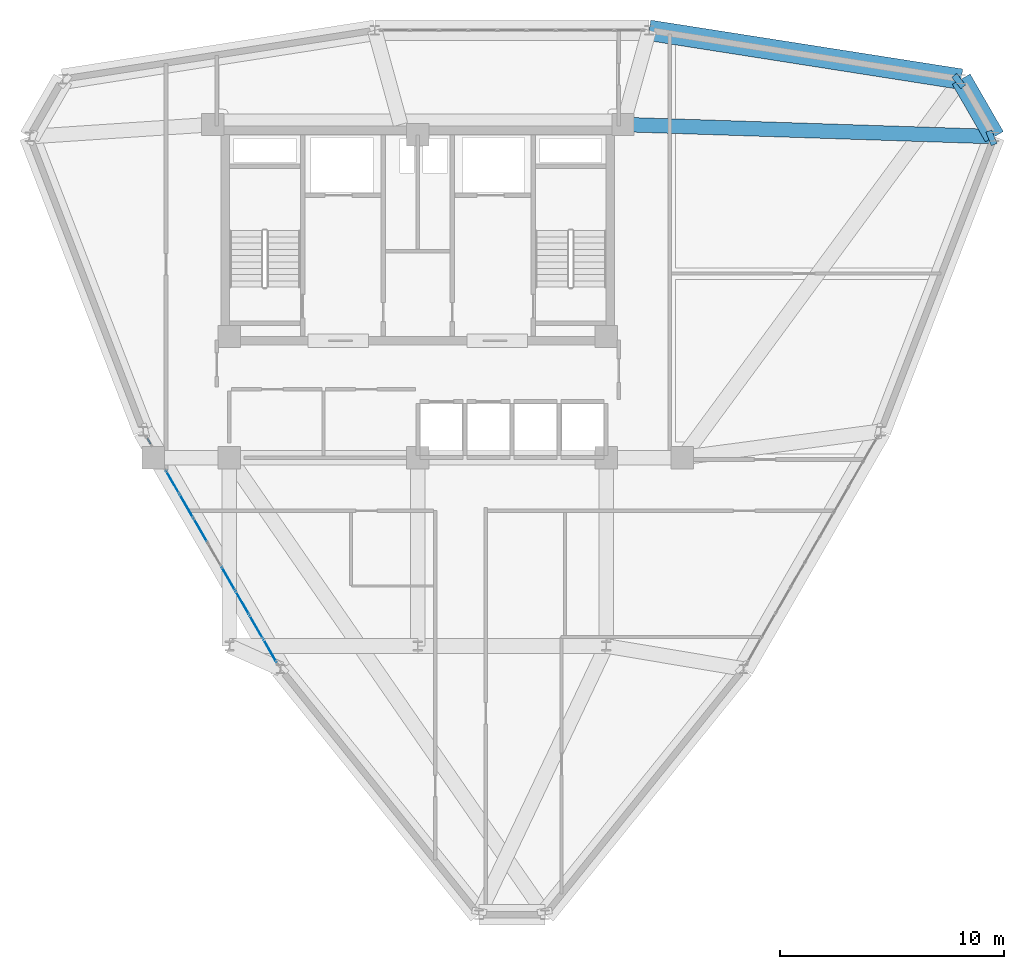
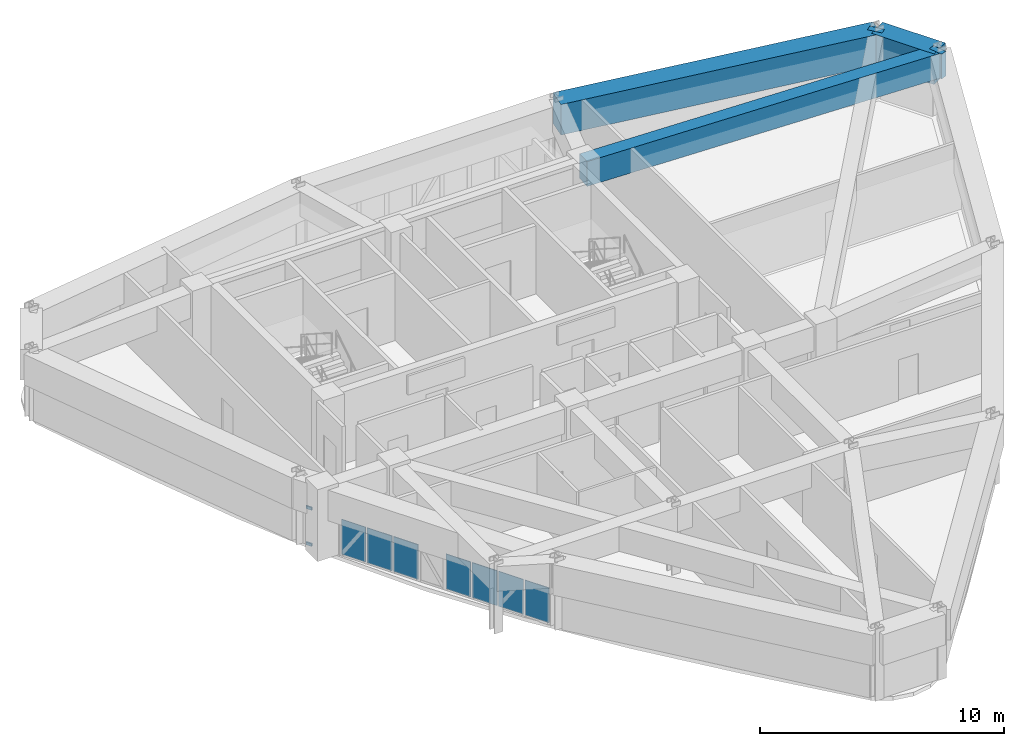
# One storey, part 14 of 19: 7 plates, 5 beams, 2 members, 2 elements without a shape of their own.
"""IFC4 building model written with IfcOpenShell, lengths in metres."""

from ifc_helpers import new_model, si_unit, derived_unit, direction, frame, origin, origin_2d, place, context, subcontext, project, spatial, rectangle, hollow_rectangle, extrude, source, transform, mapped, material, layer, layer_set, material_profile, profile_set, type_object, element, aggregate, save


model = new_model("IFC4")

# Units and contexts
model_context = context("Model", 3, precision=1e-05, world=origin(), true_north=direction((0.0, 1.0)))
body_context = subcontext(model_context, "Body", "Model", "MODEL_VIEW")
ifc_project = project(units=[si_unit("LENGTHUNIT", "METRE"), si_unit("AREAUNIT", "SQUARE_METRE"), si_unit("VOLUMEUNIT", "CUBIC_METRE"), si_unit("PLANEANGLEUNIT", "RADIAN"), si_unit("MASSUNIT", "GRAM", prefix="KILO"), derived_unit("THERMALTRANSMITTANCEUNIT", [(si_unit("POWERUNIT", "WATT"), 1), (si_unit("LENGTHUNIT", "METRE"), -2), (si_unit("THERMODYNAMICTEMPERATUREUNIT", "KELVIN"), -1)])], contexts=[model_context])

# Site, building, storey
site_placement = place(None, origin())
site = spatial("IfcSite", under=ifc_project, at=site_placement, CompositionType="ELEMENT")
building_placement = place(site_placement, origin())
building = spatial("IfcBuilding", under=site, at=building_placement, Name="Korsvarv Bourse and Concert Hall", CompositionType="ELEMENT")
storey_placement = place(building_placement, frame((0.0, 0.0, 223.800048828125)))
storey = spatial("IfcBuildingStorey", under=building, at=storey_placement, Name="L58", CompositionType="ELEMENT", Elevation=223.800048828125)

# Beams
ifc_material_1 = material(Name="Concrete C50/60", Category="concrete")
ifc_material_profile_1 = material_profile(ifc_material_1, rectangle(XDim=0.64990234375, YDim=1.239990234375, at=origin_2d()), Name="RC-BM 650x1240")
ifc_profile_set_1 = profile_set([ifc_material_profile_1], Name="Concrete C50/60")
beam_type_1 = type_object("IfcBeamType", Name="BM-TR-SPN", PredefinedType="BEAM", material=ifc_profile_set_1)
shared_shape_1 = source(origin(), body_context, "Body", "SweptSolid", [
    extrude(rectangle(XDim=0.64990234375, YDim=1.239990234375, at=origin_2d()), origin(), (0.0, 0.0, 1.0), 0.279052734375),
])
beam_1_placement = place(storey_placement, frame((60.227294921875, 49.271484375, 2.7900390625), z_axis=(-0.782232766624, -0.622986274985, 0.0), x_axis=(0.622986274985, -0.782232766624, 0.0)))
element("IfcBeam", 1, at=beam_1_placement, inside=storey, type_object=beam_type_1, Name="L58 beam B-TRS", PredefinedType="BEAM", context=body_context, shape_type="MappedRepresentation", body=[
    mapped(shared_shape_1, transform((0.0, 0.0, 0.0), scale=1.0)),
])
ifc_material_profile_2 = material_profile(ifc_material_1, rectangle(XDim=0.919921875, YDim=1.530029296875, at=origin_2d()), Name="RC-BM 920x1530")
ifc_profile_set_2 = profile_set([ifc_material_profile_2], Name="Concrete C50/60")
beam_type_2 = type_object("IfcBeamType", Name="BM-TR-154", PredefinedType="BEAM", material=ifc_profile_set_2)
shared_shape_2 = source(origin(), body_context, "Body", "SweptSolid", [
    extrude(rectangle(XDim=0.919921875, YDim=1.530029296875, at=origin_2d()), origin(), (0.0, 0.0, 1.0), 2.95947265625),
])
beam_2_placement = place(storey_placement, frame((61.70703125, 46.70849609375, 2.64501953125), z_axis=(-0.499998569178, 0.866026229868, 0.0), x_axis=(-0.866026229868, -0.499998569178, 0.0)))
element("IfcBeam", 2, at=beam_2_placement, inside=storey, type_object=beam_type_2, Name="L58 beam B-TR6", PredefinedType="BEAM", context=body_context, shape_type="MappedRepresentation", body=[
    mapped(shared_shape_2, transform((0.0, 0.0, 0.0), scale=1.0)),
])
shared_shape_3 = source(origin(), body_context, "Body", "SweptSolid", [
    extrude(rectangle(XDim=0.919921875, YDim=1.530029296875, at=origin_2d()), origin(), (0.0, 0.0, 1.0), 14.077880859375),
])
beam_3_placement = place(storey_placement, frame((60.227294921875, 49.271484375, 2.64501953125), z_axis=(-0.987954433111, 0.154745074545, 0.0), x_axis=(-0.154745074545, -0.987954433111, 0.0)))
element("IfcBeam", 3, at=beam_3_placement, inside=storey, type_object=beam_type_2, Name="L58 beam B-TR6", PredefinedType="BEAM", context=body_context, shape_type="MappedRepresentation", body=[
    mapped(shared_shape_3, transform((0.0, 0.0, 0.0), scale=1.0)),
])
shared_shape_4 = source(origin(), body_context, "Body", "SweptSolid", [
    extrude(rectangle(XDim=0.64990234375, YDim=1.239990234375, at=origin_2d()), origin(), (0.0, 0.0, 1.0), 16.56591796875),
])
beam_4_placement = place(storey_placement, frame((61.70703125, 46.70849609375, 2.7900390625), z_axis=(-0.999465614209, 0.032687704331, 0.0), x_axis=(-0.032687704331, -0.999465614209, 0.0)))
element("IfcBeam", 4, at=beam_4_placement, inside=storey, type_object=beam_type_1, Name="L58 beam B-TRS", PredefinedType="BEAM", context=body_context, shape_type="MappedRepresentation", body=[
    mapped(shared_shape_4, transform((0.0, 0.0, 0.0), scale=1.0)),
])
shared_shape_5 = source(origin(), body_context, "Body", "SweptSolid", [
    extrude(rectangle(XDim=0.64990234375, YDim=1.239990234375, at=origin_2d()), origin(), (0.0, 0.0, 1.0), 0.279296875),
])
beam_5_placement = place(storey_placement, frame((61.70703125, 46.70849609375, 2.7900390625), z_axis=(-0.930453569864, -0.366409817456, 0.0), x_axis=(0.366409817456, -0.930453569864, 0.0)))
element("IfcBeam", 5, at=beam_5_placement, inside=storey, type_object=beam_type_1, Name="L58 beam B-TRS", PredefinedType="BEAM", context=body_context, shape_type="MappedRepresentation", body=[
    mapped(shared_shape_5, transform((0.0, 0.0, 0.0), scale=1.0)),
])

# Curtain wall, members
ifc_material_2 = material(Name="Anodised aluminium and triple low-E glazing", Category="glass")
ifc_layer_1 = layer(ifc_material_2, 0.199951171875)
ifc_layer_set_1 = layer_set([ifc_layer_1], Name="Anodised aluminium and triple low-E glazing")
curtain_wall_type = type_object("IfcCurtainWallType", Name="CW-SYS-3", PredefinedType="NOTDEFINED", material=ifc_layer_set_1)
curtain_wall_1_placement = place(storey_placement, origin())
curtain_wall_1 = element("IfcCurtainWall", 6, at=curtain_wall_1_placement, inside=storey, type_object=curtain_wall_type, Name="L58 CW3 curtain wall CW-L58-F07-1", PredefinedType="NOTDEFINED")
ifc_material_3 = material(Name="Extruded aluminium EN AW-6063 T66", Category="aluminium")
ifc_material_profile_3 = material_profile(ifc_material_3, hollow_rectangle(XDim=0.06494140625, YDim=0.139892578125, WallThickness=0.00390625, at=origin_2d()), Name="ALU-T 65x140")
ifc_profile_set_3 = profile_set([ifc_material_profile_3], Name="Extruded aluminium EN AW-6063 T66")
member_type = type_object("IfcMemberType", Name="CWT-140", PredefinedType="USERDEFINED", material=ifc_profile_set_3)
shared_shape_6 = source(origin(), body_context, "Body", "SweptSolid", [
    extrude(hollow_rectangle(XDim=0.06494140625, YDim=0.139892578125, WallThickness=0.00390625, at=origin_2d()), origin(), (0.0, 0.0, 1.0), 0.28271484375),
])
member_1_placement = place(storey_placement, frame((23.944580078125, 33.255615234375, 0.032470703125), z_axis=(0.499946688677, -0.866056180903, 0.0), x_axis=(0.866056180903, 0.499946688677, 0.0)))
member_1 = element("IfcMember", 7, at=member_1_placement, type_object=member_type, Name="CW3 transom 1.1", ObjectType="TRANSOM", PredefinedType="USERDEFINED", context=body_context, shape_type="MappedRepresentation", body=[
    mapped(shared_shape_6, transform((0.0, 0.0, 0.0), scale=1.0)),
])
member_2_placement = place(storey_placement, frame((23.944580078125, 33.255615234375, 1.847412109375), z_axis=(0.499946688677, -0.866056180903, 0.0), x_axis=(0.866056180903, 0.499946688677, 0.0)))
member_2 = element("IfcMember", 8, at=member_2_placement, type_object=member_type, Name="CW3 transom 1.2", ObjectType="TRANSOM", PredefinedType="USERDEFINED", context=body_context, shape_type="MappedRepresentation", body=[
    mapped(shared_shape_6, transform((0.0, 0.0, 0.0), scale=1.0)),
])
aggregate(curtain_wall_1, [member_1, member_2])

# Curtain wall, plates
curtain_wall_2_placement = place(storey_placement, origin())
curtain_wall_2 = element("IfcCurtainWall", 9, at=curtain_wall_2_placement, inside=storey, type_object=curtain_wall_type, Name="L58 CW3 curtain wall CW-L58-F07-2", PredefinedType="NOTDEFINED")
ifc_material_4 = material(Name="Insulated spandrel glass", Category="glass")
ifc_layer_2 = layer(ifc_material_4, 0.031982421875)
ifc_layer_set_2 = layer_set([ifc_layer_2], Name="Insulated spandrel glass")
plate_type_1 = type_object("IfcPlateType", Name="CWP-SPD1", PredefinedType="CURTAIN_PANEL", material=ifc_layer_set_2)
shared_shape_7 = source(origin(), body_context, "Body", "SweptSolid", [
    extrude(rectangle(XDim=1.14013671875, YDim=0.031982421875, at=origin_2d()), origin(), (0.0, 0.0, 1.0), 1.75),
])
plate_1_placement = place(storey_placement, frame((25.070068359375, 31.305908203125, 0.06494140625), z_axis=(0.0, 0.0, 1.0), x_axis=(0.499995906824, -0.866027766968, 0.0)))
plate_1 = element("IfcPlate", 10, at=plate_1_placement, type_object=plate_type_1, Name="CW3 spandrel shadow-box panel 1.1", PredefinedType="CURTAIN_PANEL", context=body_context, shape_type="MappedRepresentation", body=[
    mapped(shared_shape_7, transform((0.0, 0.0, 0.0), scale=1.0)),
])
ifc_material_5 = material(Name="Tempered triple insulated low-E architectural glass", Category="glass")
ifc_layer_3 = layer(ifc_material_5, 0.0380859375)
ifc_layer_set_3 = layer_set([ifc_layer_3], Name="Tempered triple insulated low-E architectural glass")
plate_type_2 = type_object("IfcPlateType", Name="CWP-VIS2", PredefinedType="CURTAIN_PANEL", material=ifc_layer_set_3)
shared_shape_8 = source(origin(), body_context, "Body", "SweptSolid", [
    extrude(rectangle(XDim=1.175048828125, YDim=0.0380859375, at=origin_2d()), origin(), (0.0, 0.0, 1.0), 1.75),
])
plate_2_placement = place(storey_placement, frame((25.683837890625, 30.242919921875, 0.06494140625), z_axis=(0.0, 0.0, 1.0), x_axis=(0.499995906824, -0.866027766968, 0.0)))
plate_2 = element("IfcPlate", 11, at=plate_2_placement, type_object=plate_type_2, Name="CW3 faceted panel 2.1", PredefinedType="CURTAIN_PANEL", context=body_context, shape_type="MappedRepresentation", body=[
    mapped(shared_shape_8, transform((0.0, 0.0, 0.0), scale=1.0)),
])
plate_3_placement = place(storey_placement, frame((26.306396484375, 29.16455078125, 0.06494140625), z_axis=(0.0, 0.0, 1.0), x_axis=(0.499995906824, -0.866027766968, 0.0)))
plate_3 = element("IfcPlate", 12, at=plate_3_placement, type_object=plate_type_2, Name="CW3 faceted panel 3.1", PredefinedType="CURTAIN_PANEL", context=body_context, shape_type="MappedRepresentation", body=[
    mapped(shared_shape_8, transform((0.0, 0.0, 0.0), scale=1.0)),
])
plate_4_placement = place(storey_placement, frame((27.551513671875, 27.008056640625, 0.06494140625), z_axis=(0.0, 0.0, 1.0), x_axis=(0.499995906824, -0.866027766968, 0.0)))
plate_4 = element("IfcPlate", 13, at=plate_4_placement, type_object=plate_type_2, Name="CW3 faceted panel 5.1", PredefinedType="CURTAIN_PANEL", context=body_context, shape_type="MappedRepresentation", body=[
    mapped(shared_shape_8, transform((0.0, 0.0, 0.0), scale=1.0)),
])
plate_5_placement = place(storey_placement, frame((28.174072265625, 25.9296875, 0.06494140625), z_axis=(0.0, 0.0, 1.0), x_axis=(0.499995906824, -0.866027766968, 0.0)))
plate_5 = element("IfcPlate", 14, at=plate_5_placement, type_object=plate_type_2, Name="CW3 faceted panel 6.1", PredefinedType="CURTAIN_PANEL", context=body_context, shape_type="MappedRepresentation", body=[
    mapped(shared_shape_8, transform((0.0, 0.0, 0.0), scale=1.0)),
])
shared_shape_9 = source(origin(), body_context, "Body", "SweptSolid", [
    extrude(rectangle(XDim=1.175048828125, YDim=0.031982421875, at=origin_2d()), origin(), (0.0, 0.0, 1.0), 1.75),
])
plate_6_placement = place(storey_placement, frame((28.796630859375, 24.851318359375, 0.06494140625), z_axis=(0.0, 0.0, 1.0), x_axis=(0.499995906824, -0.866027766968, 0.0)))
plate_6 = element("IfcPlate", 15, at=plate_6_placement, type_object=plate_type_1, Name="CW3 spandrel shadow-box panel 7.1", PredefinedType="CURTAIN_PANEL", context=body_context, shape_type="MappedRepresentation", body=[
    mapped(shared_shape_9, transform((0.0, 0.0, 0.0), scale=1.0)),
])
shared_shape_10 = source(origin(), body_context, "Body", "SweptSolid", [
    extrude(rectangle(XDim=1.14013671875, YDim=0.0380859375, at=origin_2d()), origin(), (0.0, 0.0, 1.0), 1.75),
])
plate_7_placement = place(storey_placement, frame((29.410400390625, 23.7880859375, 0.06494140625), z_axis=(0.0, 0.0, 1.0), x_axis=(0.499995906824, -0.866027766968, 0.0)))
plate_7 = element("IfcPlate", 16, at=plate_7_placement, type_object=plate_type_2, Name="CW3 faceted panel 8.1", PredefinedType="CURTAIN_PANEL", context=body_context, shape_type="MappedRepresentation", body=[
    mapped(shared_shape_10, transform((0.0, 0.0, 0.0), scale=1.0)),
])
aggregate(curtain_wall_2, [plate_1, plate_2, plate_3, plate_4, plate_5, plate_6, plate_7])

save(model, "model.ifc")
